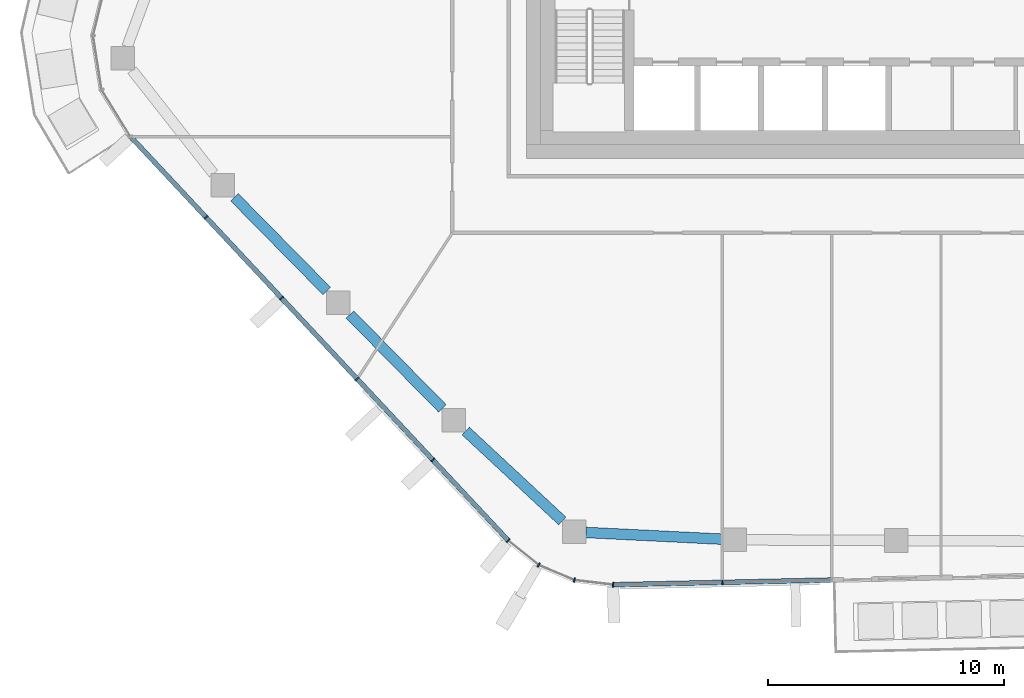
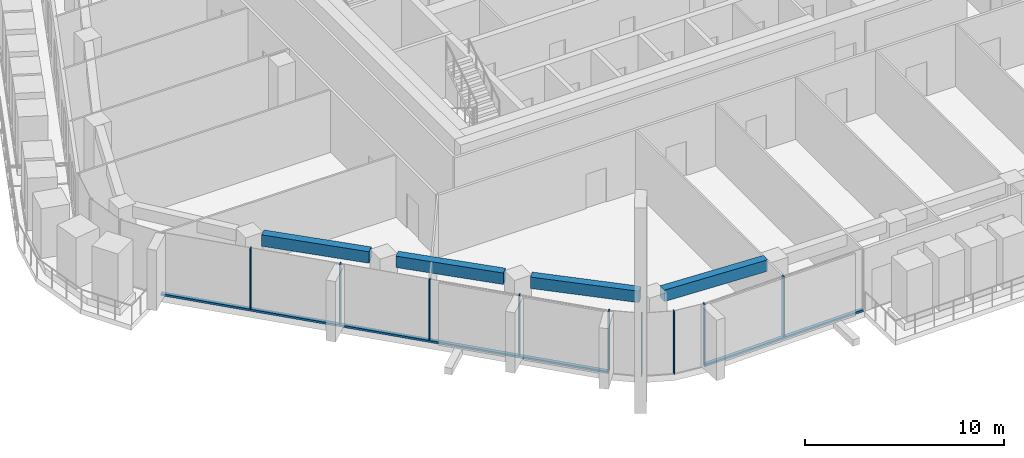
# One storey, part 2 of 24: 11 members, 4 beams, 3 elements without a shape of their own.
"""IFC4 building model written with IfcOpenShell, lengths in metres."""

from ifc_helpers import new_model, si_unit, direction, frame, origin, origin_2d, place, context, subcontext, project, spatial, rectangle, extrude, material, layer, layer_set, material_profile, profile_set, type_object, element, aggregate, save


model = new_model("IFC4")

# Units and contexts
model_context = context("Model", 3, precision=1e-05, world=origin(), true_north=direction((0.0, 1.0)))
body_context = subcontext(model_context, "Body", "Model", "MODEL_VIEW")
ifc_project = project(units=[si_unit("LENGTHUNIT", "METRE"), si_unit("AREAUNIT", "SQUARE_METRE"), si_unit("VOLUMEUNIT", "CUBIC_METRE"), si_unit("PLANEANGLEUNIT", "RADIAN"), si_unit("MASSUNIT", "GRAM", prefix="KILO")], contexts=[model_context])

# Site, building, storey
site_placement = place(None, origin())
site = spatial("IfcSite", under=ifc_project, at=site_placement, CompositionType="ELEMENT")
building_placement = place(site_placement, origin())
building = spatial("IfcBuilding", under=site, at=building_placement, Name="Dongbaek Canopy Tower", CompositionType="ELEMENT")
storey_placement = place(building_placement, frame((0.0, 0.0, 332.0)))
storey = spatial("IfcBuildingStorey", under=building, at=storey_placement, Name="L71", CompositionType="ELEMENT", Elevation=332.0)

# Curtain wall, members
ifc_material_1 = material(Name="Aluminium 6063-T6 pale anodised", Category="aluminium")
ifc_layer = layer(ifc_material_1, 0.199951171875)
ifc_layer_set = layer_set([ifc_layer], Name="CW-1 unitised tower curtain wall")
curtain_wall_type = type_object("IfcCurtainWallType", Name="CW-1 unitised tower curtain wall", PredefinedType="NOTDEFINED", material=ifc_layer_set)
curtain_wall_1_placement = place(storey_placement, origin())
curtain_wall_1 = element("IfcCurtainWall", 1, at=curtain_wall_1_placement, inside=storey, type_object=curtain_wall_type, Name="CW-1 curtain wall F3.1", PredefinedType="NOTDEFINED")
ifc_material_2 = material(Name="Aluminium 6063-T6 pale anodised", Category="aluminium")
ifc_material_profile_1 = material_profile(ifc_material_2, rectangle(XDim=0.199951171875, YDim=0.06005859375, at=origin_2d()), Name="CW-1 mullion 60 x 200")
ifc_profile_set_1 = profile_set([ifc_material_profile_1], Name="Aluminium 6063-T6 pale anodised")
member_type_1 = type_object("IfcMemberType", Name="CW-1 mullion 60 x 200", PredefinedType="MULLION", material=ifc_profile_set_1)
member_1_placement = place(storey_placement, frame((-27.6005859375, -13.486083984375, 0.1201171875), z_axis=(0.0, 0.0, 1.0), x_axis=(-0.730438386022, -0.682978597195, 0.0)))
member_1 = element("IfcMember", 2, at=member_1_placement, type_object=member_type_1, Name="CW-1 mullion F3.1.2", PredefinedType="MULLION", context=body_context, shape_type="SweptSolid", body=[
    extrude(rectangle(XDim=0.199951171875, YDim=0.06005859375, at=origin_2d()), origin(), (0.0, 0.0, 1.0), 3.699951171875),
])
member_2_placement = place(storey_placement, frame((-24.393798828125, -16.915771484375, 0.1201171875), z_axis=(0.0, 0.0, 1.0), x_axis=(-0.730438386022, -0.682978597195, 0.0)))
member_2 = element("IfcMember", 3, at=member_2_placement, type_object=member_type_1, Name="CW-1 mullion F3.1.3", PredefinedType="MULLION", context=body_context, shape_type="SweptSolid", body=[
    extrude(rectangle(XDim=0.199951171875, YDim=0.06005859375, at=origin_2d()), origin(), (0.0, 0.0, 1.0), 3.699951171875),
])
member_3_placement = place(storey_placement, frame((-21.18701171875, -20.345458984375, 0.1201171875), z_axis=(0.0, 0.0, 1.0), x_axis=(-0.730438386022, -0.682978597195, 0.0)))
member_3 = element("IfcMember", 4, at=member_3_placement, type_object=member_type_1, Name="CW-1 mullion F3.1.4", PredefinedType="MULLION", context=body_context, shape_type="SweptSolid", body=[
    extrude(rectangle(XDim=0.199951171875, YDim=0.06005859375, at=origin_2d()), origin(), (0.0, 0.0, 1.0), 3.699951171875),
])
member_4_placement = place(storey_placement, frame((-17.980224609375, -23.775146484375, 0.1201171875), z_axis=(0.0, 0.0, 1.0), x_axis=(-0.730438386022, -0.682978597195, 0.0)))
member_4 = element("IfcMember", 5, at=member_4_placement, type_object=member_type_1, Name="CW-1 mullion F3.1.5", PredefinedType="MULLION", context=body_context, shape_type="SweptSolid", body=[
    extrude(rectangle(XDim=0.199951171875, YDim=0.06005859375, at=origin_2d()), origin(), (0.0, 0.0, 1.0), 3.699951171875),
])
member_5_placement = place(storey_placement, frame((-14.7783203125, -27.19970703125, 0.1201171875), z_axis=(0.0, 0.0, 1.0), x_axis=(-0.730438386022, -0.682978597195, 0.0)))
member_5 = element("IfcMember", 6, at=member_5_placement, type_object=member_type_1, Name="CW-1 mullion F3.1.6", PredefinedType="MULLION", context=body_context, shape_type="SweptSolid", body=[
    extrude(rectangle(XDim=0.199951171875, YDim=0.06005859375, at=origin_2d()), origin(), (0.0, 0.0, 1.0), 3.699951171875),
])

curtain_wall_2_placement = place(storey_placement, origin())
curtain_wall_2 = element("IfcCurtainWall", 7, at=curtain_wall_2_placement, inside=storey, type_object=curtain_wall_type, Name="CW-1 curtain wall K4.1", PredefinedType="NOTDEFINED")
member_6_placement = place(storey_placement, frame((-13.490478515625, -28.238525390625, 0.0), z_axis=(0.0, 0.0, 1.0), x_axis=(-0.513063359077, -0.858350738086, 0.0)))
member_6 = element("IfcMember", 8, at=member_6_placement, type_object=member_type_1, Name="CW-1 mullion K4.1.2", PredefinedType="MULLION", context=body_context, shape_type="SweptSolid", body=[
    extrude(rectangle(XDim=0.199951171875, YDim=0.06005859375, at=origin_2d()), origin(), (0.0, 0.0, 1.0), 3.820068359375),
])
member_7_placement = place(storey_placement, frame((-11.971923828125, -28.878173828125, 0.0), z_axis=(0.0, 0.0, 1.0), x_axis=(-0.255665649821, -0.966765263909, 0.0)))
member_7 = element("IfcMember", 9, at=member_7_placement, type_object=member_type_1, Name="CW-1 mullion K4.1.3", PredefinedType="MULLION", context=body_context, shape_type="SweptSolid", body=[
    extrude(rectangle(XDim=0.199951171875, YDim=0.06005859375, at=origin_2d()), origin(), (0.0, 0.0, 1.0), 3.820068359375),
])
member_8_placement = place(storey_placement, frame((-10.328857421875, -29.07373046875, 0.0), z_axis=(0.0, 0.0, 1.0), x_axis=(-0.118152671581, -0.992995441177, 0.0)))
member_8 = element("IfcMember", 10, at=member_8_placement, type_object=member_type_1, Name="CW-1 mullion K4.1.4", PredefinedType="MULLION", context=body_context, shape_type="SweptSolid", body=[
    extrude(rectangle(XDim=0.199951171875, YDim=0.06005859375, at=origin_2d()), origin(), (0.0, 0.0, 1.0), 3.820068359375),
])
aggregate(curtain_wall_2, [member_6, member_7, member_8])

# Curtain wall, member
curtain_wall_3_placement = place(storey_placement, origin())
curtain_wall_3 = element("IfcCurtainWall", 11, at=curtain_wall_3_placement, inside=storey, type_object=curtain_wall_type, Name="CW-1 curtain wall F4.1", PredefinedType="NOTDEFINED")
member_9_placement = place(storey_placement, frame((-5.698486328125, -28.97314453125, 0.1201171875), z_axis=(0.0, 0.0, 1.0), x_axis=(0.021675843976, -0.999765051294, 0.0)))
member_9 = element("IfcMember", 12, at=member_9_placement, type_object=member_type_1, Name="CW-1 mullion F4.1.2", PredefinedType="MULLION", context=body_context, shape_type="SweptSolid", body=[
    extrude(rectangle(XDim=0.199951171875, YDim=0.06005859375, at=origin_2d()), origin(), (0.0, 0.0, 1.0), 3.699951171875),
])

# Member
ifc_material_3 = material(Name="Aluminium 6063-T6 pale anodised", Category="aluminium")
ifc_material_profile_2 = material_profile(ifc_material_3, rectangle(XDim=0.199951171875, YDim=0.1201171875, at=origin_2d()), Name="CW-1 transom 120 x 200")
ifc_profile_set_2 = profile_set([ifc_material_profile_2], Name="Aluminium 6063-T6 pale anodised")
member_type_2 = type_object("IfcMemberType", Name="CW-1 transom 120 x 200", PredefinedType="USERDEFINED", material=ifc_profile_set_2)
member_10_placement = place(storey_placement, frame((-30.800537109375, -10.063720703125, 0.06005859375), z_axis=(0.682970198952, -0.730446238503, 0.0), x_axis=(0.730446238503, 0.682970198952, 0.0)))
member_10 = element("IfcMember", 13, at=member_10_placement, type_object=member_type_2, Name="CW-1 transom F3.1.1", ObjectType="TRANSOM", PredefinedType="USERDEFINED", context=body_context, shape_type="SweptSolid", body=[
    extrude(rectangle(XDim=0.199951171875, YDim=0.1201171875, at=origin_2d()), origin(), (0.0, 0.0, 1.0), 23.459716796875),
])

aggregate(curtain_wall_1, [member_1, member_2, member_3, member_4, member_5, member_10])

member_11_placement = place(storey_placement, frame((-10.328857421875, -29.07373046875, 0.06005859375), z_axis=(0.999765068463, 0.021675052063, 0.0), x_axis=(-0.021675052063, 0.999765068463, 0.0)))
member_11 = element("IfcMember", 14, at=member_11_placement, type_object=member_type_2, Name="CW-1 transom F4.1.1", ObjectType="TRANSOM", PredefinedType="USERDEFINED", context=body_context, shape_type="SweptSolid", body=[
    extrude(rectangle(XDim=0.199951171875, YDim=0.1201171875, at=origin_2d()), origin(), (0.0, 0.0, 1.0), 9.27001953125),
])

aggregate(curtain_wall_3, [member_9, member_11])

# Beams
ifc_material_4 = material(Name="Concrete C60", Category="concrete")
ifc_material_profile_3 = material_profile(ifc_material_4, rectangle(XDim=0.449951171875, YDim=0.699951171875, at=origin_2d()), Name="RC EDGE BEAM 450x700 C60")
ifc_profile_set_3 = profile_set([ifc_material_profile_3], Name="Concrete C60")
beam_type = type_object("IfcBeamType", Name="RC EDGE BEAM 450x700 C60", PredefinedType="BEAM", material=ifc_profile_set_3)
beam_1_placement = place(storey_placement, frame((-5.666015625, -27.142333984375, 3.469970703125), z_axis=(-0.998789160621, 0.049195656579, 0.0), x_axis=(-0.049195656579, -0.998789160621, 0.0)))
element("IfcBeam", 15, at=beam_1_placement, inside=storey, type_object=beam_type, Name="EDGEBEAM:L71:03", PredefinedType="BEAM", context=body_context, shape_type="SweptSolid", body=[
    extrude(rectangle(XDim=0.449951171875, YDim=0.699951171875, at=origin_2d()), origin(), (0.0, 0.0, 1.0), 5.826171875),
])
beam_2_placement = place(storey_placement, frame((-12.485107421875, -26.365966796875, 3.469970703125), z_axis=(-0.732266655485, 0.681018021248, 0.0), x_axis=(-0.681018021248, -0.732266655485, 0.0)))
element("IfcBeam", 16, at=beam_2_placement, inside=storey, type_object=beam_type, Name="EDGEBEAM:L71:04", PredefinedType="BEAM", context=body_context, shape_type="SweptSolid", body=[
    extrude(rectangle(XDim=0.449951171875, YDim=0.699951171875, at=origin_2d()), origin(), (0.0, 0.0, 1.0), 5.597412109375),
])
beam_3_placement = place(storey_placement, frame((-17.576416015625, -21.589111328125, 3.469970703125), z_axis=(-0.701706740597, 0.712465894062, 0.0), x_axis=(-0.712465894062, -0.701706740597, 0.0)))
element("IfcBeam", 17, at=beam_3_placement, inside=storey, type_object=beam_type, Name="EDGEBEAM:L71:05", PredefinedType="BEAM", context=body_context, shape_type="SweptSolid", body=[
    extrude(rectangle(XDim=0.449951171875, YDim=0.699951171875, at=origin_2d()), origin(), (0.0, 0.0, 1.0), 5.58203125),
])
beam_4_placement = place(storey_placement, frame((-22.478515625, -16.612060546875, 3.469970703125), z_axis=(-0.701708081315, 0.712464573588, 0.0), x_axis=(-0.712464573588, -0.701708081315, 0.0)))
element("IfcBeam", 18, at=beam_4_placement, inside=storey, type_object=beam_type, Name="EDGEBEAM:L71:06", PredefinedType="BEAM", context=body_context, shape_type="SweptSolid", body=[
    extrude(rectangle(XDim=0.449951171875, YDim=0.699951171875, at=origin_2d()), origin(), (0.0, 0.0, 1.0), 5.58349609375),
])

save(model, "model.ifc")
